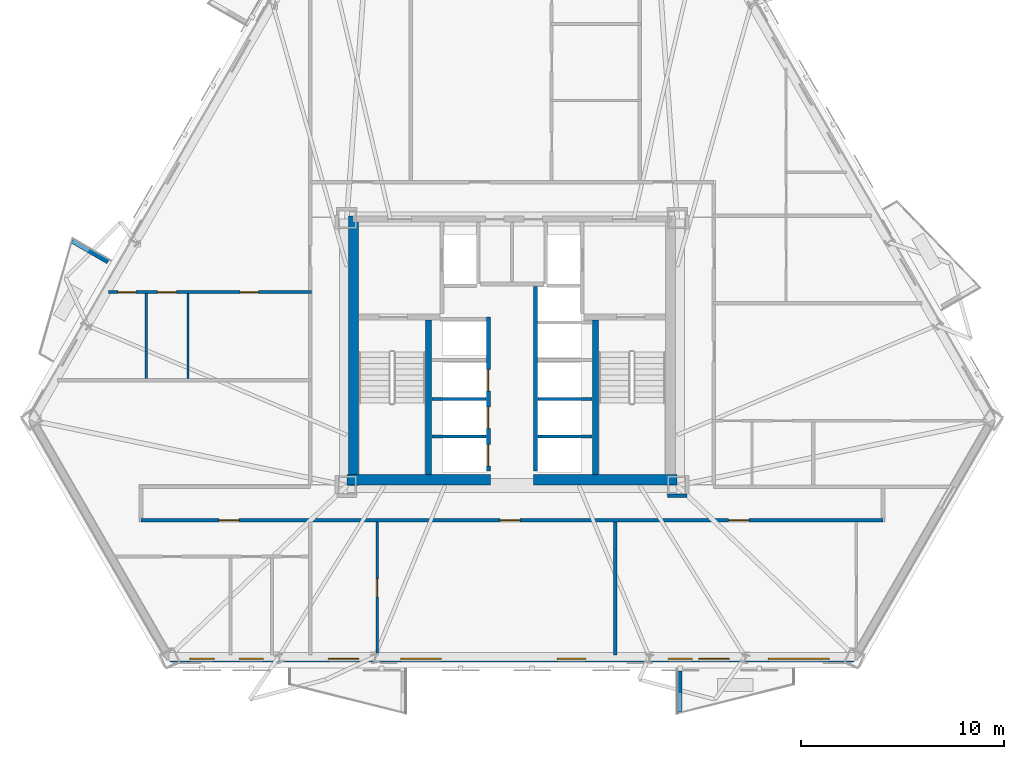
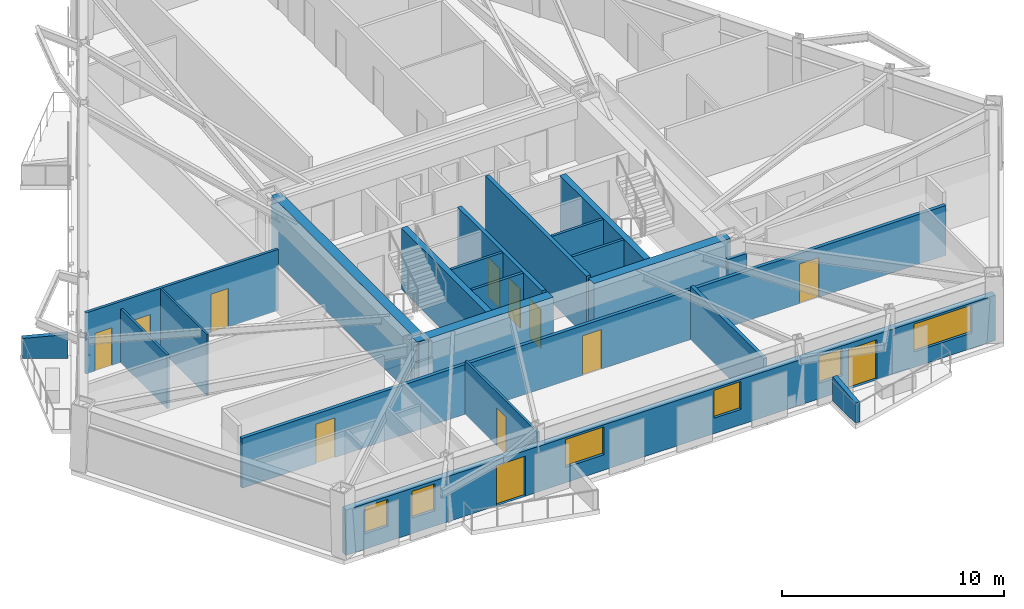
# One storey, part 3 of 10: 21 walls, 12 doors, 6 windows, 18 openings.
"""IFC4 building model written with IfcOpenShell, lengths in metres."""

from ifc_helpers import new_model, si_unit, direction, frame, frame_2d, origin, place, context, subcontext, project, spatial, polyline, rectangle, outline, extrude, material, layer, layer_set, type_object, element, fill, save


model = new_model("IFC4")

# Units and contexts
model_context = context("Model", 3, precision=1e-05, world=origin(), true_north=direction((0.0, 1.0)))
body_context = subcontext(model_context, "Body", "Model", "MODEL_VIEW")
ifc_project = project(units=[si_unit("LENGTHUNIT", "METRE"), si_unit("AREAUNIT", "SQUARE_METRE"), si_unit("VOLUMEUNIT", "CUBIC_METRE"), si_unit("PLANEANGLEUNIT", "RADIAN"), si_unit("MASSUNIT", "GRAM", prefix="KILO")], contexts=[model_context])

# Site, building, storey
site_placement = place(None, origin())
site = spatial("IfcSite", under=ifc_project, at=site_placement, CompositionType="ELEMENT")
building_placement = place(site_placement, origin())
building = spatial("IfcBuilding", under=site, at=building_placement, Name="Oramaril Tower", CompositionType="ELEMENT")
storey_placement = place(building_placement, frame((0.0, 0.0, 66.89990234375)))
storey = spatial("IfcBuildingStorey", under=building, at=storey_placement, Name="L17", CompositionType="ELEMENT", Elevation=66.89990234375)

# Wall, openings, doors, windows
ifc_material_1 = material(Name="Warm Cream Limestone", Category="masonry")
ifc_layer_1 = layer(ifc_material_1, 0.340087890625)
ifc_layer_set_1 = layer_set([ifc_layer_1], Name="WT-EXT34")
wall_type_1 = type_object("IfcWallType", Name="WT-EXT34", PredefinedType="SOLIDWALL", material=ifc_layer_set_1)
wall_1_placement = place(storey_placement, frame((20.6181640625, 2.4658203125, 0.0), z_axis=(0.0, 0.0, 1.0), x_axis=(1.0, 0.0, 0.0)))
wall_1 = element("IfcWall", 1, at=wall_1_placement, inside=storey, type_object=wall_type_1, Name="L17 Tower Limestone Facade Wall 2M", PredefinedType="SOLIDWALL", context=body_context, shape_type="SweptSolid", body=[
    extrude(rectangle(XDim=33.763671875, YDim=0.340087890625, at=frame_2d((16.8818359375, 0.0))), origin(), (0.0, 0.0, 1.0), 2.494140625),
])
opening_1_placement = place(wall_1_placement, frame((7.824462890625, 0.0, 0.0)))
opening_1 = element("IfcOpeningElement", 2, at=opening_1_placement, cuts=wall_1, Name="Opening D-L17-BAL-S1", PredefinedType="OPENING", context=body_context, shape_type="SweptSolid", body=[
    extrude(rectangle(XDim=1.5, YDim=2.199951171875, at=frame_2d((0.75, 1.10009765625))), frame((0.0, 0.169921875, 0.0), z_axis=(0.0, -1.0, 0.0), x_axis=(1.0, 0.0, 0.0)), (0.0, 0.0, 1.0), 0.340087890625),
])
opening_2_placement = place(wall_1_placement, frame((26.104248046875, 0.0, 0.0)))
opening_2 = element("IfcOpeningElement", 3, at=opening_2_placement, cuts=wall_1, Name="Opening D-L17-BAL-S2", PredefinedType="OPENING", context=body_context, shape_type="SweptSolid", body=[
    extrude(rectangle(XDim=1.5, YDim=2.199951171875, at=frame_2d((0.75, 1.10009765625))), frame((0.0, 0.169921875, 0.0), z_axis=(0.0, -1.0, 0.0), x_axis=(1.0, 0.0, 0.0)), (0.0, 0.0, 1.0), 0.340087890625),
])
opening_3_placement = place(wall_1_placement, frame((11.401611328125, 0.0, 0.85009765625)))
opening_3 = element("IfcOpeningElement", 4, at=opening_3_placement, cuts=wall_1, Name="Opening WN-05", PredefinedType="OPENING", context=body_context, shape_type="SweptSolid", body=[
    extrude(rectangle(XDim=2.0, YDim=1.533935546875, at=frame_2d((1.0, 0.76708984375))), frame((0.0, 0.169921875, 0.0), z_axis=(0.0, -1.0, 0.0), x_axis=(1.0, 0.0, 0.0)), (0.0, 0.0, 1.0), 0.340087890625),
])
opening_4_placement = place(wall_1_placement, frame((19.123046875, 0.0, 0.85009765625)))
opening_4 = element("IfcOpeningElement", 5, at=opening_4_placement, cuts=wall_1, Name="Opening WN-08", PredefinedType="OPENING", context=body_context, shape_type="SweptSolid", body=[
    extrude(rectangle(XDim=1.39990234375, YDim=1.533935546875, at=frame_2d((0.699951171875, 0.76708984375))), frame((0.0, 0.169921875, 0.0), z_axis=(0.0, -1.0, 0.0), x_axis=(1.0, 0.0, 0.0)), (0.0, 0.0, 1.0), 0.340087890625),
])
opening_5_placement = place(wall_1_placement, frame((24.583251953125, 0.0, 0.85009765625)))
opening_5 = element("IfcOpeningElement", 6, at=opening_5_placement, cuts=wall_1, Name="Opening WN-09", PredefinedType="OPENING", context=body_context, shape_type="SweptSolid", body=[
    extrude(rectangle(XDim=1.199951171875, YDim=1.47998046875, at=frame_2d((0.60009765625, 0.739990234375))), frame((0.0, 0.169921875, 0.0), z_axis=(0.0, -1.0, 0.0), x_axis=(1.0, 0.0, 0.0)), (0.0, 0.0, 1.0), 0.340087890625),
])
opening_6_placement = place(wall_1_placement, frame((29.528076171875, 0.0, 0.85009765625)))
opening_6 = element("IfcOpeningElement", 7, at=opening_6_placement, cuts=wall_1, Name="Opening WN-10", PredefinedType="OPENING", context=body_context, shape_type="SweptSolid", body=[
    extrude(rectangle(XDim=3.0, YDim=1.533935546875, at=frame_2d((1.5, 0.76708984375))), frame((0.0, 0.169921875, 0.0), z_axis=(0.0, -1.0, 0.0), x_axis=(1.0, 0.0, 0.0)), (0.0, 0.0, 1.0), 0.340087890625),
])
opening_7_placement = place(wall_1_placement, frame((0.98876953125, 0.0, 0.85009765625)))
opening_7 = element("IfcOpeningElement", 8, at=opening_7_placement, cuts=wall_1, Name="Opening WN-09", PredefinedType="OPENING", context=body_context, shape_type="SweptSolid", body=[
    extrude(rectangle(XDim=1.199951171875, YDim=1.47998046875, at=frame_2d((0.60009765625, 0.739990234375))), frame((0.0, 0.169921875, 0.0), z_axis=(0.0, -1.0, 0.0), x_axis=(1.0, 0.0, 0.0)), (0.0, 0.0, 1.0), 0.340087890625),
])
opening_8_placement = place(wall_1_placement, frame((3.416748046875, 0.0, 0.85009765625)))
opening_8 = element("IfcOpeningElement", 9, at=opening_8_placement, cuts=wall_1, Name="Opening WN-09", PredefinedType="OPENING", context=body_context, shape_type="SweptSolid", body=[
    extrude(rectangle(XDim=1.199951171875, YDim=1.47998046875, at=frame_2d((0.60009765625, 0.739990234375))), frame((0.0, 0.169921875, 0.0), z_axis=(0.0, -1.0, 0.0), x_axis=(1.0, 0.0, 0.0)), (0.0, 0.0, 1.0), 0.340087890625),
])
ifc_material_2 = material(Name="Anodised Aluminium 6063-T6", Category="aluminium")
door_type_1 = type_object("IfcDoorType", Name="DT-BAL", OperationType="NOTDEFINED", PredefinedType="DOOR", material=ifc_material_2)
door_1_placement = place(opening_1_placement, origin())
door_1 = element("IfcDoor", 10, at=door_1_placement, inside=storey, type_object=door_type_1, Name="L17 Balcony Glazed Door L17-BAL-S1", OperationType="SINGLE_SWING_RIGHT", OverallHeight=2.199951171875, OverallWidth=1.5, PredefinedType="DOOR", context=body_context, shape_type="SweptSolid", body=[
    extrude(rectangle(XDim=1.5, YDim=2.199951171875, at=frame_2d((0.75, 1.10009765625))), frame((0.0, 0.02490234375, 0.0), z_axis=(0.0, -1.0, 0.0), x_axis=(1.0, 0.0, 0.0)), (0.0, 0.0, 1.0), 0.050048828125),
])
fill(opening_1, door_1)
door_2_placement = place(opening_2_placement, origin())
door_2 = element("IfcDoor", 11, at=door_2_placement, inside=storey, type_object=door_type_1, Name="L17 Balcony Glazed Door L17-BAL-S2", OperationType="SINGLE_SWING_LEFT", OverallHeight=2.199951171875, OverallWidth=1.5, PredefinedType="DOOR", context=body_context, shape_type="SweptSolid", body=[
    extrude(rectangle(XDim=1.5, YDim=2.199951171875, at=frame_2d((0.75, 1.10009765625))), frame((0.0, 0.02490234375, 0.0), z_axis=(0.0, -1.0, 0.0), x_axis=(1.0, 0.0, 0.0)), (0.0, 0.0, 1.0), 0.050048828125),
])
fill(opening_2, door_2)
ifc_material_3 = material(Name="Coastal Low-E Insulated Glass", Category="glass")
window_type_1 = type_object("IfcWindowType", Name="WNT-05", PartitioningType="SINGLE_PANEL", PredefinedType="WINDOW", material=ifc_material_3)
window_1_placement = place(opening_3_placement, origin())
window_1 = element("IfcWindow", 12, at=window_1_placement, inside=storey, type_object=window_type_1, Name="L17 Chicago Bay Window WN-05", OverallHeight=1.533935546875, OverallWidth=2.0, PartitioningType="SINGLE_PANEL", PredefinedType="WINDOW", context=body_context, shape_type="SweptSolid", body=[
    extrude(rectangle(XDim=2.0, YDim=1.533935546875, at=frame_2d((1.0, 0.76708984375))), frame((0.0, 0.030029296875, 0.0), z_axis=(0.0, -1.0, 0.0), x_axis=(1.0, 0.0, 0.0)), (0.0, 0.0, 1.0), 0.06005859375),
])
fill(opening_3, window_1)
ifc_material_4 = material(Name="Coastal Low-E Insulated Glass", Category="glass")
window_type_2 = type_object("IfcWindowType", Name="WNT-08", PartitioningType="SINGLE_PANEL", PredefinedType="WINDOW", material=ifc_material_4)
window_2_placement = place(opening_4_placement, origin())
window_2 = element("IfcWindow", 13, at=window_2_placement, inside=storey, type_object=window_type_2, Name="L17 Chicago Bay Window WN-08", OverallHeight=1.533935546875, OverallWidth=1.39990234375, PartitioningType="SINGLE_PANEL", PredefinedType="WINDOW", context=body_context, shape_type="SweptSolid", body=[
    extrude(rectangle(XDim=1.39990234375, YDim=1.533935546875, at=frame_2d((0.699951171875, 0.76708984375))), frame((0.0, 0.030029296875, 0.0), z_axis=(0.0, -1.0, 0.0), x_axis=(1.0, 0.0, 0.0)), (0.0, 0.0, 1.0), 0.06005859375),
])
fill(opening_4, window_2)
ifc_material_5 = material(Name="Coastal Low-E Insulated Glass", Category="glass")
window_type_3 = type_object("IfcWindowType", Name="WNT-09", PartitioningType="SINGLE_PANEL", PredefinedType="WINDOW", material=ifc_material_5)
window_3_placement = place(opening_5_placement, origin())
window_3 = element("IfcWindow", 14, at=window_3_placement, inside=storey, type_object=window_type_3, Name="L17 Chicago Bay Window WN-09", OverallHeight=1.47998046875, OverallWidth=1.199951171875, PartitioningType="SINGLE_PANEL", PredefinedType="WINDOW", context=body_context, shape_type="SweptSolid", body=[
    extrude(rectangle(XDim=1.199951171875, YDim=1.47998046875, at=frame_2d((0.60009765625, 0.739990234375))), frame((0.0, 0.030029296875, 0.0), z_axis=(0.0, -1.0, 0.0), x_axis=(1.0, 0.0, 0.0)), (0.0, 0.0, 1.0), 0.06005859375),
])
fill(opening_5, window_3)
window_4_placement = place(opening_7_placement, origin())
window_4 = element("IfcWindow", 15, at=window_4_placement, inside=storey, type_object=window_type_3, Name="L17 Chicago Bay Window WN-09", OverallHeight=1.47998046875, OverallWidth=1.199951171875, PartitioningType="SINGLE_PANEL", PredefinedType="WINDOW", context=body_context, shape_type="SweptSolid", body=[
    extrude(rectangle(XDim=1.199951171875, YDim=1.47998046875, at=frame_2d((0.60009765625, 0.739990234375))), frame((0.0, 0.030029296875, 0.0), z_axis=(0.0, -1.0, 0.0), x_axis=(1.0, 0.0, 0.0)), (0.0, 0.0, 1.0), 0.06005859375),
])
fill(opening_7, window_4)
window_5_placement = place(opening_8_placement, origin())
window_5 = element("IfcWindow", 16, at=window_5_placement, inside=storey, type_object=window_type_3, Name="L17 Chicago Bay Window WN-09", OverallHeight=1.47998046875, OverallWidth=1.199951171875, PartitioningType="SINGLE_PANEL", PredefinedType="WINDOW", context=body_context, shape_type="SweptSolid", body=[
    extrude(rectangle(XDim=1.199951171875, YDim=1.47998046875, at=frame_2d((0.60009765625, 0.739990234375))), frame((0.0, 0.030029296875, 0.0), z_axis=(0.0, -1.0, 0.0), x_axis=(1.0, 0.0, 0.0)), (0.0, 0.0, 1.0), 0.06005859375),
])
fill(opening_8, window_5)
ifc_material_6 = material(Name="Coastal Low-E Insulated Glass", Category="glass")
window_type_4 = type_object("IfcWindowType", Name="WNT-10", PartitioningType="SINGLE_PANEL", PredefinedType="WINDOW", material=ifc_material_6)
window_6_placement = place(opening_6_placement, origin())
window_6 = element("IfcWindow", 17, at=window_6_placement, inside=storey, type_object=window_type_4, Name="L17 Chicago Bay Window WN-10", OverallHeight=1.533935546875, OverallWidth=3.0, PartitioningType="SINGLE_PANEL", PredefinedType="WINDOW", context=body_context, shape_type="SweptSolid", body=[
    extrude(rectangle(XDim=3.0, YDim=1.533935546875, at=frame_2d((1.5, 0.76708984375))), frame((0.0, 0.030029296875, 0.0), z_axis=(0.0, -1.0, 0.0), x_axis=(1.0, 0.0, 0.0)), (0.0, 0.0, 1.0), 0.06005859375),
])
fill(opening_6, window_6)

# Walls
ifc_material_7 = material(Name="Concrete C40/50", Category="concrete")
ifc_layer_2 = layer(ifc_material_7, 0.22998046875)
ifc_layer_set_2 = layer_set([ifc_layer_2], Name="WT-PRP23")
wall_type_2 = type_object("IfcWallType", Name="WT-PRP23", PredefinedType="PARAPET", material=ifc_layer_set_2)
for number, where, z_axis, x_axis, name in (
    (18, (45.77734375, 1.867919921875, 0.0), (0.0, 0.0, 1.0), (0.0, -1.0, 0.0), "L17 Trapezoidal Balcony Frame Cheek L17-BAL-S2-L"),
    (19, (17.57177734375, 22.047607421875, 0.0), (0.0, 0.0, 1.0), (-0.866012356593, 0.500022597718, 0.0), "L17 Trapezoidal Balcony Frame Cheek L17-BAL-NW2-L"),
):
    element("IfcWall", number, at=place(storey_placement, frame(where, z_axis=z_axis, x_axis=x_axis)), inside=storey, type_object=wall_type_2, Name=name, PredefinedType="PARAPET", context=body_context, shape_type="SweptSolid", body=[
        extrude(outline(polyline([(0.0, 0.0), (2.0419921875, 0.0), (2.0419921875, 1.10009765625), (0.0, 1.320068359375), (0.0, 0.0)])), frame((0.0, 0.114990234375, 0.0), z_axis=(0.0, -1.0, 0.0), x_axis=(1.0, 0.0, 0.0)), (0.0, 0.0, 1.0), 0.22998046875),
    ])
ifc_material_8 = material(Name="Acoustic Gypsum Board Partition")
ifc_layer_3 = layer(ifc_material_8, 0.10009765625)
ifc_layer_set_3 = layer_set([ifc_layer_3], Name="WT-PT10")
wall_type_3 = type_object("IfcWallType", Name="WT-PT10", PredefinedType="PARTITIONING", material=ifc_layer_set_3)
wall_2_placement = place(storey_placement, frame((21.510009765625, 16.2939453125, 0.0), z_axis=(0.0, 0.0, 1.0), x_axis=(0.0, 1.0, 0.0)))
element("IfcWall", 20, at=wall_2_placement, inside=storey, type_object=wall_type_3, Name="L17 Interior Partition PT-10", PredefinedType="PARTITIONING", context=body_context, shape_type="SweptSolid", body=[
    extrude(rectangle(XDim=4.18212890625, YDim=0.10009765625, at=frame_2d((2.091064453125, 0.0))), origin(), (0.0, 0.0, 1.0), 3.360107421875),
])
ifc_material_9 = material(Name="Acoustic Gypsum Board Partition")
ifc_layer_4 = layer(ifc_material_9, 0.1201171875)
ifc_layer_set_4 = layer_set([ifc_layer_4], Name="WT-PT12")
wall_type_4 = type_object("IfcWallType", Name="WT-PT12", PredefinedType="PARTITIONING", material=ifc_layer_set_4)
wall_3_placement = place(storey_placement, frame((19.4599609375, 16.2939453125, 0.0), z_axis=(0.0, 0.0, 1.0), x_axis=(0.0, 1.0, 0.0)))
element("IfcWall", 21, at=wall_3_placement, inside=storey, type_object=wall_type_4, Name="L17 Interior Partition PT-12", PredefinedType="PARTITIONING", context=body_context, shape_type="SweptSolid", body=[
    extrude(rectangle(XDim=4.18212890625, YDim=0.1201171875, at=frame_2d((2.091064453125, 0.0))), origin(), (0.0, 0.0, 1.0), 2.946044921875),
])

# Wall, opening, door
wall_4_placement = place(storey_placement, frame((30.860107421875, 2.73388671875, 0.0), z_axis=(0.0, 0.0, 1.0), x_axis=(0.0, 1.0, 0.0)))
wall_4 = element("IfcWall", 22, at=wall_4_placement, inside=storey, type_object=wall_type_4, Name="L17 Interior Partition PT-12", PredefinedType="PARTITIONING", context=body_context, shape_type="SweptSolid", body=[
    extrude(rectangle(XDim=6.47216796875, YDim=0.1201171875, at=frame_2d((3.236083984375, 0.0))), origin(), (0.0, 0.0, 1.0), 2.946044921875),
])
opening_9_placement = place(wall_4_placement, frame((2.7841796875, 0.0, 0.0)))
opening_9 = element("IfcOpeningElement", 23, at=opening_9_placement, cuts=wall_4, Name="Opening D-L17-18", PredefinedType="OPENING", context=body_context, shape_type="SweptSolid", body=[
    extrude(rectangle(XDim=0.8798828125, YDim=2.080078125, at=frame_2d((0.43994140625, 1.0400390625))), frame((0.0, 0.06005859375, 0.0), z_axis=(0.0, -1.0, 0.0), x_axis=(1.0, 0.0, 0.0)), (0.0, 0.0, 1.0), 0.1201171875),
])
ifc_material_10 = material(Name="FSC Brazilian Freijo Hardwood", Category="wood")
door_type_2 = type_object("IfcDoorType", Name="DT-BATH", OperationType="NOTDEFINED", PredefinedType="DOOR", material=ifc_material_10)
door_3_placement = place(opening_9_placement, origin())
door_3 = element("IfcDoor", 24, at=door_3_placement, inside=storey, type_object=door_type_2, Name="L17 Flat L17-U1 Bathroom Door D-L17-18", OperationType="SINGLE_SWING_LEFT", OverallHeight=2.080078125, OverallWidth=0.8798828125, PredefinedType="DOOR", context=body_context, shape_type="SweptSolid", body=[
    extrude(rectangle(XDim=0.8798828125, YDim=2.080078125, at=frame_2d((0.43994140625, 1.0400390625))), frame((0.0, 0.02490234375, 0.0), z_axis=(0.0, -1.0, 0.0), x_axis=(1.0, 0.0, 0.0)), (0.0, 0.0, 1.0), 0.050048828125),
])
fill(opening_9, door_3)

# Walls
ifc_material_11 = material(Name="Acoustic Gypsum Board Partition")
ifc_layer_5 = layer(ifc_material_11, 0.139892578125)
ifc_layer_set_5 = layer_set([ifc_layer_5], Name="WT-PT14")
wall_type_5 = type_object("IfcWallType", Name="WT-PT14", PredefinedType="PARTITIONING", material=ifc_layer_set_5)
for number, where, z_axis, x_axis, name in (
    (25, (33.56005859375, 13.419921875, 0.0), (0.0, 0.0, 1.0), (1.0, 0.0, 0.0), "L17 West Lift Divider"),
    (26, (33.56005859375, 15.27001953125, 0.0), (0.0, 0.0, 1.0), (1.0, 0.0, 0.0), "L17 West Lift Divider"),
    (27, (38.780029296875, 13.419921875, 0.0), (0.0, 0.0, 1.0), (1.0, 0.0, 0.0), "L17 East Lift Divider"),
    (28, (38.780029296875, 15.27001953125, 0.0), (0.0, 0.0, 1.0), (1.0, 0.0, 0.0), "L17 East Lift Divider"),
):
    element("IfcWall", number, at=place(storey_placement, frame(where, z_axis=z_axis, x_axis=x_axis)), inside=storey, type_object=wall_type_5, Name=name, PredefinedType="PARTITIONING", context=body_context, shape_type="SweptSolid", body=[
        extrude(rectangle(XDim=2.659912109375, YDim=0.139892578125, at=frame_2d((1.330078125, 0.0))), origin(), (0.0, 0.0, 1.0), 3.360107421875),
    ])

# Wall, openings, doors
wall_5_placement = place(storey_placement, frame((17.5986328125, 20.550048828125, 0.0), z_axis=(0.0, 0.0, 1.0), x_axis=(1.0, 0.0, 0.0)))
wall_5 = element("IfcWall", 29, at=wall_5_placement, inside=storey, type_object=wall_type_5, Name="L17 Interior Partition PT-14", PredefinedType="PARTITIONING", context=body_context, shape_type="SweptSolid", body=[
    extrude(rectangle(XDim=10.00146484375, YDim=0.139892578125, at=frame_2d((5.000732421875, 0.0))), origin(), (0.0, 0.0, 1.0), 3.360107421875),
])
opening_10_placement = place(wall_5_placement, frame((0.46240234375, 0.0, 0.0)))
opening_10 = element("IfcOpeningElement", 30, at=opening_10_placement, cuts=wall_5, Name="Opening D-L17-10", PredefinedType="OPENING", context=body_context, shape_type="SweptSolid", body=[
    extrude(rectangle(XDim=0.8798828125, YDim=2.080078125, at=frame_2d((0.43994140625, 1.0400390625))), frame((0.0, 0.06982421875, 0.0), z_axis=(0.0, -1.0, 0.0), x_axis=(1.0, 0.0, 0.0)), (0.0, 0.0, 1.0), 0.139892578125),
])
opening_11_placement = place(wall_5_placement, frame((2.412353515625, 0.0, 0.0)))
opening_11 = element("IfcOpeningElement", 31, at=opening_11_placement, cuts=wall_5, Name="Opening D-L17-11", PredefinedType="OPENING", context=body_context, shape_type="SweptSolid", body=[
    extrude(rectangle(XDim=0.949951171875, YDim=2.10009765625, at=frame_2d((0.47509765625, 1.050048828125))), frame((0.0, 0.06982421875, 0.0), z_axis=(0.0, -1.0, 0.0), x_axis=(1.0, 0.0, 0.0)), (0.0, 0.0, 1.0), 0.139892578125),
])
opening_12_placement = place(wall_5_placement, frame((6.48681640625, 0.0, 0.0)))
opening_12 = element("IfcOpeningElement", 32, at=opening_12_placement, cuts=wall_5, Name="Opening D-L17-12", PredefinedType="OPENING", context=body_context, shape_type="SweptSolid", body=[
    extrude(rectangle(XDim=0.919921875, YDim=2.1201171875, at=frame_2d((0.4599609375, 1.06005859375))), frame((0.0, 0.06982421875, 0.0), z_axis=(0.0, -1.0, 0.0), x_axis=(1.0, 0.0, 0.0)), (0.0, 0.0, 1.0), 0.139892578125),
])
door_4_placement = place(opening_10_placement, origin())
door_4 = element("IfcDoor", 33, at=door_4_placement, inside=storey, type_object=door_type_2, Name="L17 Flat L17-U4 Bathroom Door D-L17-10", OperationType="SINGLE_SWING_LEFT", OverallHeight=2.080078125, OverallWidth=0.8798828125, PredefinedType="DOOR", context=body_context, shape_type="SweptSolid", body=[
    extrude(rectangle(XDim=0.8798828125, YDim=2.080078125, at=frame_2d((0.43994140625, 1.0400390625))), frame((0.0, 0.02490234375, 0.0), z_axis=(0.0, -1.0, 0.0), x_axis=(1.0, 0.0, 0.0)), (0.0, 0.0, 1.0), 0.050048828125),
])
fill(opening_10, door_4)
ifc_material_12 = material(Name="FSC Brazilian Freijo Hardwood", Category="wood")
door_type_3 = type_object("IfcDoorType", Name="DT-BED", OperationType="NOTDEFINED", PredefinedType="DOOR", material=ifc_material_12)
door_5_placement = place(opening_12_placement, origin())
door_5 = element("IfcDoor", 34, at=door_5_placement, inside=storey, type_object=door_type_3, Name="L17 Flat L17-U4 Master Bedroom Door D-L17-12", OperationType="SINGLE_SWING_LEFT", OverallHeight=2.1201171875, OverallWidth=0.919921875, PredefinedType="DOOR", context=body_context, shape_type="SweptSolid", body=[
    extrude(rectangle(XDim=0.919921875, YDim=2.1201171875, at=frame_2d((0.4599609375, 1.06005859375))), frame((0.0, 0.02490234375, 0.0), z_axis=(0.0, -1.0, 0.0), x_axis=(1.0, 0.0, 0.0)), (0.0, 0.0, 1.0), 0.050048828125),
])
fill(opening_12, door_5)
ifc_material_13 = material(Name="FSC Brazilian Freijo Hardwood", Category="wood")
door_type_4 = type_object("IfcDoorType", Name="DT-STDY", OperationType="NOTDEFINED", PredefinedType="DOOR", material=ifc_material_13)
door_6_placement = place(opening_11_placement, origin())
door_6 = element("IfcDoor", 35, at=door_6_placement, inside=storey, type_object=door_type_4, Name="L17 Flat L17-U4 Kitchen Door D-L17-11", OperationType="SINGLE_SWING_RIGHT", OverallHeight=2.10009765625, OverallWidth=0.949951171875, PredefinedType="DOOR", context=body_context, shape_type="SweptSolid", body=[
    extrude(rectangle(XDim=0.949951171875, YDim=2.10009765625, at=frame_2d((0.47509765625, 1.050048828125))), frame((0.0, 0.02490234375, 0.0), z_axis=(0.0, -1.0, 0.0), x_axis=(1.0, 0.0, 0.0)), (0.0, 0.0, 1.0), 0.050048828125),
])
fill(opening_11, door_6)

ifc_material_14 = material(Name="Autoclaved Cellular Concrete Block", Category="concrete")
ifc_layer_6 = layer(ifc_material_14, 0.179931640625)
ifc_layer_set_6 = layer_set([ifc_layer_6], Name="WT-PT18")
wall_type_6 = type_object("IfcWallType", Name="WT-PT18", PredefinedType="PARTITIONING", material=ifc_layer_set_6)
wall_6_placement = place(storey_placement, frame((19.199951171875, 9.300048828125, 0.0), z_axis=(0.0, 0.0, 1.0), x_axis=(1.0, 0.0, 0.0)))
wall_6 = element("IfcWall", 36, at=wall_6_placement, inside=storey, type_object=wall_type_6, Name="L17 Interior Partition PT-18", PredefinedType="PARTITIONING", context=body_context, shape_type="SweptSolid", body=[
    extrude(rectangle(XDim=36.60009765625, YDim=0.179931640625, at=frame_2d((18.300048828125, 0.0))), origin(), (0.0, 0.0, 1.0), 2.738037109375),
])
opening_13_placement = place(wall_6_placement, frame((3.84423828125, 0.0, 0.0)))
opening_13 = element("IfcOpeningElement", 37, at=opening_13_placement, cuts=wall_6, Name="Opening D-L17-04", PredefinedType="OPENING", context=body_context, shape_type="SweptSolid", body=[
    extrude(rectangle(XDim=1.0, YDim=2.179931640625, at=frame_2d((0.5, 1.08984375))), frame((0.0, 0.08984375, 0.0), z_axis=(0.0, -1.0, 0.0), x_axis=(1.0, 0.0, 0.0)), (0.0, 0.0, 1.0), 0.179931640625),
])
opening_14_placement = place(wall_6_placement, frame((17.69873046875, 0.0, 0.0)))
opening_14 = element("IfcOpeningElement", 38, at=opening_14_placement, cuts=wall_6, Name="Opening D-L17-05", PredefinedType="OPENING", context=body_context, shape_type="SweptSolid", body=[
    extrude(rectangle(XDim=1.0, YDim=2.179931640625, at=frame_2d((0.5, 1.08984375))), frame((0.0, 0.08984375, 0.0), z_axis=(0.0, -1.0, 0.0), x_axis=(1.0, 0.0, 0.0)), (0.0, 0.0, 1.0), 0.179931640625),
])
opening_15_placement = place(wall_6_placement, frame((28.990966796875, 0.0, 0.0)))
opening_15 = element("IfcOpeningElement", 39, at=opening_15_placement, cuts=wall_6, Name="Opening D-L17-06", PredefinedType="OPENING", context=body_context, shape_type="SweptSolid", body=[
    extrude(rectangle(XDim=1.0, YDim=2.179931640625, at=frame_2d((0.5, 1.08984375))), frame((0.0, 0.08984375, 0.0), z_axis=(0.0, -1.0, 0.0), x_axis=(1.0, 0.0, 0.0)), (0.0, 0.0, 1.0), 0.179931640625),
])
ifc_material_15 = material(Name="FSC Brazilian Freijo Hardwood", Category="wood")
door_type_5 = type_object("IfcDoorType", Name="DT-APT", OperationType="NOTDEFINED", PredefinedType="DOOR", material=ifc_material_15)
door_7_placement = place(opening_13_placement, origin())
door_7 = element("IfcDoor", 40, at=door_7_placement, inside=storey, type_object=door_type_5, Name="L17 Flat L17-U3 Penthouse Living and Dining Room Door D-L17-04", OperationType="SINGLE_SWING_LEFT", OverallHeight=2.179931640625, OverallWidth=1.0, PredefinedType="DOOR", context=body_context, shape_type="SweptSolid", body=[
    extrude(rectangle(XDim=1.0, YDim=2.179931640625, at=frame_2d((0.5, 1.08984375))), frame((0.0, 0.02490234375, 0.0), z_axis=(0.0, -1.0, 0.0), x_axis=(1.0, 0.0, 0.0)), (0.0, 0.0, 1.0), 0.050048828125),
])
fill(opening_13, door_7)
door_8_placement = place(opening_14_placement, origin())
door_8 = element("IfcDoor", 41, at=door_8_placement, inside=storey, type_object=door_type_5, Name="L17 Flat L17-U1 Kitchen and Studio Apartment Door D-L17-05", OperationType="SINGLE_SWING_RIGHT", OverallHeight=2.179931640625, OverallWidth=1.0, PredefinedType="DOOR", context=body_context, shape_type="SweptSolid", body=[
    extrude(rectangle(XDim=1.0, YDim=2.179931640625, at=frame_2d((0.5, 1.08984375))), frame((0.0, 0.02490234375, 0.0), z_axis=(0.0, -1.0, 0.0), x_axis=(1.0, 0.0, 0.0)), (0.0, 0.0, 1.0), 0.050048828125),
])
fill(opening_14, door_8)
door_9_placement = place(opening_15_placement, origin())
door_9 = element("IfcDoor", 42, at=door_9_placement, inside=storey, type_object=door_type_5, Name="L17 Flat L17-U2 Kitchen and Studio Apartment Door D-L17-06", OperationType="SINGLE_SWING_LEFT", OverallHeight=2.179931640625, OverallWidth=1.0, PredefinedType="DOOR", context=body_context, shape_type="SweptSolid", body=[
    extrude(rectangle(XDim=1.0, YDim=2.179931640625, at=frame_2d((0.5, 1.08984375))), frame((0.0, 0.02490234375, 0.0), z_axis=(0.0, -1.0, 0.0), x_axis=(1.0, 0.0, 0.0)), (0.0, 0.0, 1.0), 0.050048828125),
])
fill(opening_15, door_9)

# Walls
wall_7_placement = place(storey_placement, frame((45.159912109375, 10.510009765625, 0.0), z_axis=(0.0, 0.0, 1.0), x_axis=(1.0, 0.0, 0.0)))
element("IfcWall", 43, at=wall_7_placement, inside=storey, type_object=wall_type_6, Name="L17 Interior Partition PT-18", PredefinedType="PARTITIONING", context=body_context, shape_type="SweptSolid", body=[
    extrude(rectangle(XDim=0.97998046875, YDim=0.179931640625, at=frame_2d((0.489990234375, 0.0))), origin(), (0.0, 0.0, 1.0), 2.738037109375),
])
wall_8_placement = place(storey_placement, frame((42.60009765625, 2.639892578125, 0.0), z_axis=(0.0, 0.0, 1.0), x_axis=(0.0, 1.0, 0.0)))
element("IfcWall", 44, at=wall_8_placement, inside=storey, type_object=wall_type_6, Name="L17 Interior Partition PT-18", PredefinedType="PARTITIONING", context=body_context, shape_type="SweptSolid", body=[
    extrude(rectangle(XDim=6.566162109375, YDim=0.179931640625, at=frame_2d((3.283203125, 0.0))), origin(), (0.0, 0.0, 1.0), 2.946044921875),
])
ifc_material_16 = material(Name="Concrete C50/60", Category="concrete")
ifc_layer_7 = layer(ifc_material_16, 0.300048828125)
ifc_layer_set_7 = layer_set([ifc_layer_7], Name="WT-SH30")
wall_type_7 = type_object("IfcWallType", Name="WT-SH30", PredefinedType="SHEAR", material=ifc_layer_set_7)
for number, where, z_axis, x_axis, name in (
    (45, (33.3798828125, 11.5400390625, 0.0), (0.0, 0.0, 1.0), (0.0, 1.0, 0.0), "L17 Core Shear Wall CW-ST1E"),
    (46, (41.6201171875, 11.5400390625, 0.0), (0.0, 0.0, 1.0), (0.0, 1.0, 0.0), "L17 Core Shear Wall CW-ST2W"),
):
    element("IfcWall", number, at=place(storey_placement, frame(where, z_axis=z_axis, x_axis=x_axis)), inside=storey, type_object=wall_type_7, Name=name, PredefinedType="SHEAR", context=body_context, shape_type="SweptSolid", body=[
        extrude(rectangle(XDim=7.619873046875, YDim=0.300048828125, at=frame_2d((3.81005859375, 0.0))), origin(), (0.0, 0.0, 1.0), 3.360107421875),
    ])
ifc_material_17 = material(Name="Concrete C50/60", Category="concrete")
ifc_layer_8 = layer(ifc_material_17, 0.5)
ifc_layer_set_8 = layer_set([ifc_layer_8], Name="WT-SH50")
wall_type_8 = type_object("IfcWallType", Name="WT-SH50", PredefinedType="SHEAR", material=ifc_layer_set_8)
wall_9_placement = place(storey_placement, frame((29.68994140625, 11.0, 0.0), z_axis=(0.0, 0.0, 1.0), x_axis=(0.0, 1.0, 0.0)))
element("IfcWall", 47, at=wall_9_placement, inside=storey, type_object=wall_type_8, Name="L17 Core Shear Wall CW-W", PredefinedType="SHEAR", context=body_context, shape_type="SweptSolid", body=[
    extrude(rectangle(XDim=13.300048828125, YDim=0.5, at=frame_2d((6.64990234375, 0.0))), origin(), (0.0, 0.0, 1.0), 3.360107421875),
])
for number, where, z_axis, x_axis, name in (
    (48, (29.35009765625, 11.2900390625, 0.0), (0.0, 0.0, 1.0), (1.0, 0.0, 0.0), "L17 Core Shear Wall CW-SW"),
    (49, (38.550048828125, 11.2900390625, 0.0), (0.0, 0.0, 1.0), (1.0, 0.0, 0.0), "L17 Core Shear Wall CW-SE"),
):
    element("IfcWall", number, at=place(storey_placement, frame(where, z_axis=z_axis, x_axis=x_axis)), inside=storey, type_object=wall_type_8, Name=name, PredefinedType="SHEAR", context=body_context, shape_type="SweptSolid", body=[
        extrude(rectangle(XDim=7.099853515625, YDim=0.5, at=frame_2d((3.5498046875, 0.0))), origin(), (0.0, 0.0, 1.0), 3.360107421875),
    ])

# Wall, openings, doors
ifc_material_18 = material(Name="Autoclaved Cellular Concrete Block", Category="concrete")
ifc_layer_9 = layer(ifc_material_18, 0.199951171875)
ifc_layer_set_9 = layer_set([ifc_layer_9], Name="WT-SHF20")
wall_type_9 = type_object("IfcWallType", Name="WT-SHF20", PredefinedType="PARTITIONING", material=ifc_layer_set_9)
wall_10_placement = place(storey_placement, frame((36.340087890625, 11.719970703125, 0.0), z_axis=(0.0, 0.0, 1.0), x_axis=(0.0, 1.0, 0.0)))
wall_10 = element("IfcWall", 50, at=wall_10_placement, inside=storey, type_object=wall_type_9, Name="L17 West Lift Bank Front Wall", PredefinedType="PARTITIONING", context=body_context, shape_type="SweptSolid", body=[
    extrude(rectangle(XDim=7.60009765625, YDim=0.199951171875, at=frame_2d((3.800048828125, 0.0))), origin(), (0.0, 0.0, 1.0), 3.360107421875),
])
opening_16_placement = place(wall_10_placement, frame((0.2548828125, 0.0, 0.0)))
opening_16 = element("IfcOpeningElement", 51, at=opening_16_placement, cuts=wall_10, Name="Opening LD-L17-LP-L1", PredefinedType="OPENING", context=body_context, shape_type="SweptSolid", body=[
    extrude(rectangle(XDim=1.050048828125, YDim=2.14990234375, at=frame_2d((0.52490234375, 1.074951171875))), frame((0.0, 0.10009765625, 0.0), z_axis=(0.0, -1.0, 0.0), x_axis=(1.0, 0.0, 0.0)), (0.0, 0.0, 1.0), 0.199951171875),
])
opening_17_placement = place(wall_10_placement, frame((2.10498046875, 0.0, 0.0)))
opening_17 = element("IfcOpeningElement", 52, at=opening_17_placement, cuts=wall_10, Name="Opening LD-L17-LP-L2", PredefinedType="OPENING", context=body_context, shape_type="SweptSolid", body=[
    extrude(rectangle(XDim=1.050048828125, YDim=2.14990234375, at=frame_2d((0.52490234375, 1.074951171875))), frame((0.0, 0.10009765625, 0.0), z_axis=(0.0, -1.0, 0.0), x_axis=(1.0, 0.0, 0.0)), (0.0, 0.0, 1.0), 0.199951171875),
])
opening_18_placement = place(wall_10_placement, frame((3.955078125, 0.0, 0.0)))
opening_18 = element("IfcOpeningElement", 53, at=opening_18_placement, cuts=wall_10, Name="Opening LD-L17-LP-L3", PredefinedType="OPENING", context=body_context, shape_type="SweptSolid", body=[
    extrude(rectangle(XDim=1.050048828125, YDim=2.14990234375, at=frame_2d((0.52490234375, 1.074951171875))), frame((0.0, 0.10009765625, 0.0), z_axis=(0.0, -1.0, 0.0), x_axis=(1.0, 0.0, 0.0)), (0.0, 0.0, 1.0), 0.199951171875),
])
ifc_material_19 = material(Name="Stainless Steel 316L", Category="steel")
door_type_6 = type_object("IfcDoorType", Name="DT-LD2", OperationType="NOTDEFINED", PredefinedType="DOOR", material=ifc_material_19)
door_10_placement = place(opening_16_placement, origin())
door_10 = element("IfcDoor", 54, at=door_10_placement, inside=storey, type_object=door_type_6, Name="L17 Lift LP-L1 Sliding Landing Door", OperationType="SLIDING_TO_LEFT", OverallHeight=2.14990234375, OverallWidth=1.050048828125, PredefinedType="DOOR", context=body_context, shape_type="SweptSolid", body=[
    extrude(rectangle(XDim=1.050048828125, YDim=2.14990234375, at=frame_2d((0.52490234375, 1.074951171875))), frame((0.0, 0.02490234375, 0.0), z_axis=(0.0, -1.0, 0.0), x_axis=(1.0, 0.0, 0.0)), (0.0, 0.0, 1.0), 0.050048828125),
])
fill(opening_16, door_10)
door_11_placement = place(opening_17_placement, origin())
door_11 = element("IfcDoor", 55, at=door_11_placement, inside=storey, type_object=door_type_6, Name="L17 Lift LP-L2 Sliding Landing Door", OperationType="SLIDING_TO_RIGHT", OverallHeight=2.14990234375, OverallWidth=1.050048828125, PredefinedType="DOOR", context=body_context, shape_type="SweptSolid", body=[
    extrude(rectangle(XDim=1.050048828125, YDim=2.14990234375, at=frame_2d((0.52490234375, 1.074951171875))), frame((0.0, 0.02490234375, 0.0), z_axis=(0.0, -1.0, 0.0), x_axis=(1.0, 0.0, 0.0)), (0.0, 0.0, 1.0), 0.050048828125),
])
fill(opening_17, door_11)
door_12_placement = place(opening_18_placement, origin())
door_12 = element("IfcDoor", 56, at=door_12_placement, inside=storey, type_object=door_type_6, Name="L17 Lift LP-L3 Sliding Landing Door", OperationType="SLIDING_TO_LEFT", OverallHeight=2.14990234375, OverallWidth=1.050048828125, PredefinedType="DOOR", context=body_context, shape_type="SweptSolid", body=[
    extrude(rectangle(XDim=1.050048828125, YDim=2.14990234375, at=frame_2d((0.52490234375, 1.074951171875))), frame((0.0, 0.02490234375, 0.0), z_axis=(0.0, -1.0, 0.0), x_axis=(1.0, 0.0, 0.0)), (0.0, 0.0, 1.0), 0.050048828125),
])
fill(opening_18, door_12)

# Wall
wall_11_placement = place(storey_placement, frame((38.659912109375, 11.719970703125, 0.0), z_axis=(0.0, 0.0, 1.0), x_axis=(0.0, 1.0, 0.0)))
element("IfcWall", 57, at=wall_11_placement, inside=storey, type_object=wall_type_9, Name="L17 East Lift Bank Front Wall", PredefinedType="PARTITIONING", context=body_context, shape_type="SweptSolid", body=[
    extrude(rectangle(XDim=9.10009765625, YDim=0.199951171875, at=frame_2d((4.550048828125, 0.0))), origin(), (0.0, 0.0, 1.0), 3.360107421875),
])

save(model, "model.ifc")
